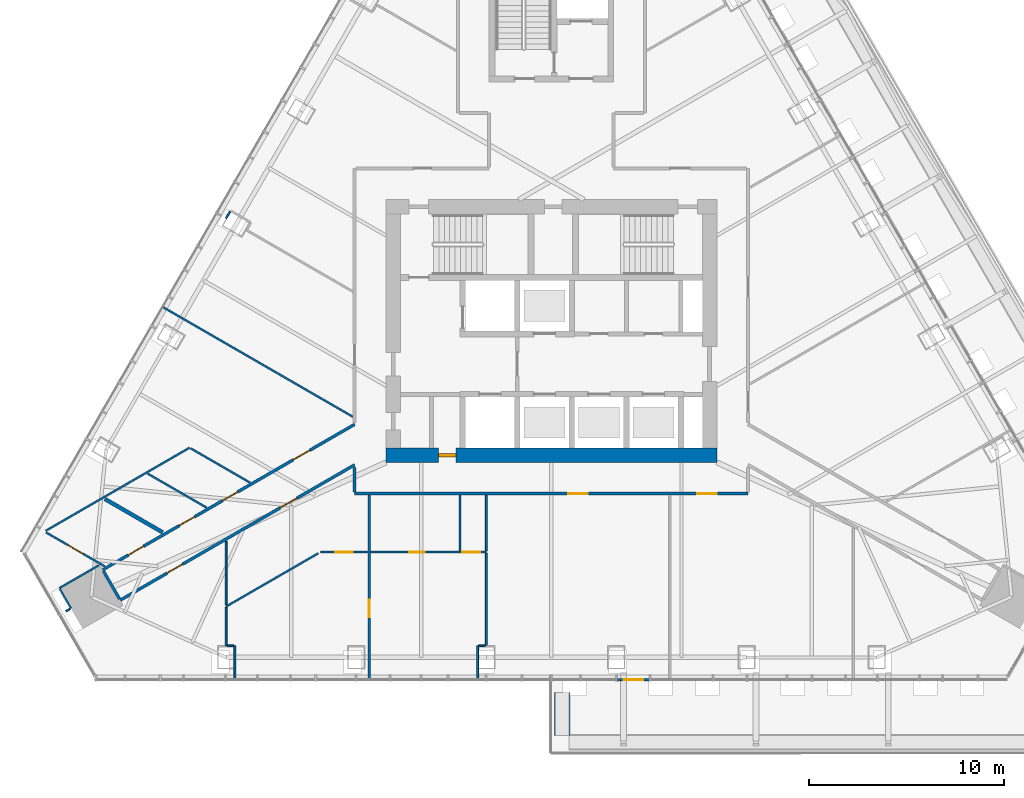
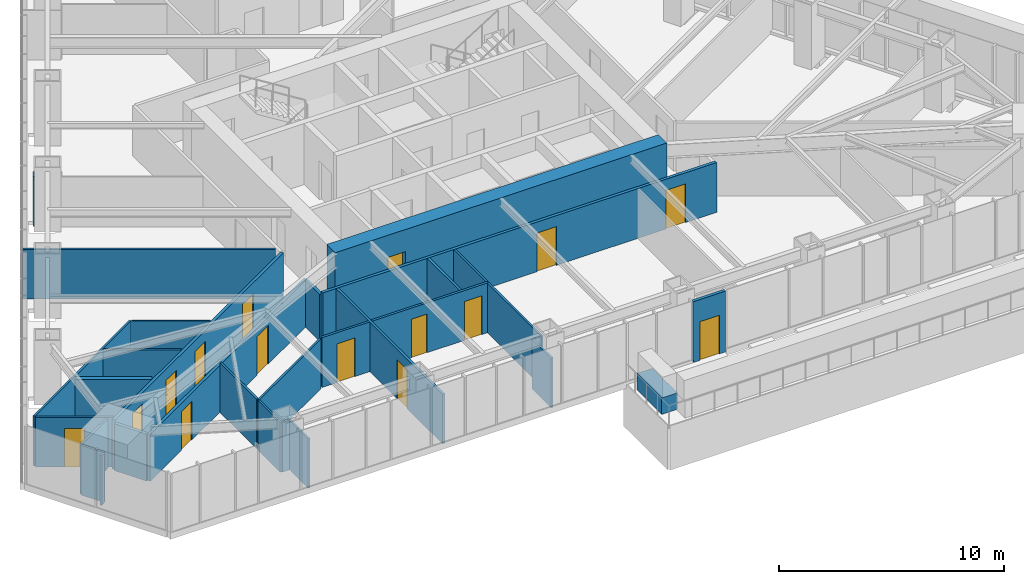
# One storey, part 10 of 17: 31 walls, 15 doors, 15 openings, 1 element without a shape of its own.
"""IFC4 building model written with IfcOpenShell, lengths in metres."""

from ifc_helpers import new_model, si_unit, direction, frame, frame_2d, origin, place, context, subcontext, project, spatial, rectangle, extrude, material, layer, layer_set, type_object, element, fill, aggregate, save


model = new_model("IFC4")

# Units and contexts
model_context = context("Model", 3, precision=1e-05, world=origin(), true_north=direction((0.0, 1.0)))
body_context = subcontext(model_context, "Body", "Model", "MODEL_VIEW")
ifc_project = project(units=[si_unit("LENGTHUNIT", "METRE"), si_unit("AREAUNIT", "SQUARE_METRE"), si_unit("VOLUMEUNIT", "CUBIC_METRE"), si_unit("PLANEANGLEUNIT", "RADIAN"), si_unit("MASSUNIT", "GRAM", prefix="KILO")], contexts=[model_context])

# Site, building, storey
site_placement = place(None, origin())
site = spatial("IfcSite", under=ifc_project, at=site_placement, CompositionType="ELEMENT")
building_placement = place(site_placement, origin())
building = spatial("IfcBuilding", under=site, at=building_placement, Name="Firuza Gate Tower and Library", CompositionType="ELEMENT")
storey_placement = place(building_placement, frame((0.0, 0.0, 263.60009765625)))
storey = spatial("IfcBuildingStorey", under=building, at=storey_placement, Name="L62", CompositionType="ELEMENT", Elevation=263.60009765625)

# Wall, opening, door
ifc_material_1 = material(Name="Concrete C60/75", Category="concrete")
ifc_layer_1 = layer(ifc_material_1, 0.75)
ifc_layer_set_1 = layer_set([ifc_layer_1], Name="Core wall 750 C60/75")
wall_type_1 = type_object("IfcWallType", Name="Core wall 750 C60/75", PredefinedType="SHEAR", material=ifc_layer_set_1)
wall_1_placement = place(storey_placement, frame((66.5, 68.625, 0.0), z_axis=(0.0, 0.0, 1.0), x_axis=(1.0, 0.0, 0.0)))
wall_1 = element("IfcWall", 1, at=wall_1_placement, inside=storey, type_object=wall_type_1, Name="Core wall L62 1", PredefinedType="SHEAR", context=body_context, shape_type="SweptSolid", body=[
    extrude(rectangle(XDim=17.0, YDim=0.75, at=frame_2d((8.5, 0.0))), origin(), (0.0, 0.0, 1.0), 3.2998046875),
])
opening_1_placement = place(wall_1_placement, frame((2.699951171875, 0.0, 0.0)))
opening_1 = element("IfcOpeningElement", 2, at=opening_1_placement, cuts=wall_1, Name="Opening L62-K18", PredefinedType="OPENING", context=body_context, shape_type="SweptSolid", body=[
    extrude(rectangle(XDim=0.89990234375, YDim=2.10009765625, at=frame_2d((0.449951171875, 1.050048828125))), frame((0.0, 0.385009765625, 0.0), z_axis=(0.0, -1.0, 0.0), x_axis=(1.0, 0.0, 0.0)), (0.0, 0.0, 1.0), 0.77001953125),
])
ifc_material_2 = material(Name="Steel", Category="steel")
door_type_1 = type_object("IfcDoorType", Name="Fire door 900x2100 FD30S", OperationType="NOTDEFINED", PredefinedType="DOOR", material=ifc_material_2)
door_1_placement = place(opening_1_placement, origin())
door_1 = element("IfcDoor", 3, at=door_1_placement, inside=storey, type_object=door_type_1, Name="Door L62-K18", OperationType="SINGLE_SWING_LEFT", OverallHeight=2.10009765625, OverallWidth=0.89990234375, PredefinedType="DOOR", context=body_context, shape_type="SweptSolid", body=[
    extrude(rectangle(XDim=0.89990234375, YDim=2.10009765625, at=frame_2d((0.449951171875, 1.050048828125))), frame((0.0, 0.094970703125, 0.0), z_axis=(0.0, -1.0, 0.0), x_axis=(1.0, 0.0, 0.0)), (0.0, 0.0, 1.0), 0.18994140625),
])
fill(opening_1, door_1)

# Wall, openings, doors
ifc_material_3 = material(Name="Gypsum board partition")
ifc_layer_2 = layer(ifc_material_3, 0.14990234375)
ifc_layer_set_2 = layer_set([ifc_layer_2], Name="Corridor wall 150 double board on steel studs")
wall_type_2 = type_object("IfcWallType", Name="Corridor wall 150 double board on steel studs", PredefinedType="PARTITIONING", material=ifc_layer_set_2)
wall_2_placement = place(storey_placement, frame((85.099609375, 66.64990234375, 0.0), z_axis=(0.0, 0.0, 1.0), x_axis=(-1.0, 0.0, 0.0)))
wall_2 = element("IfcWall", 4, at=wall_2_placement, inside=storey, type_object=wall_type_2, Name="f:L62:w003", PredefinedType="PARTITIONING", context=body_context, shape_type="SweptSolid", body=[
    extrude(rectangle(XDim=20.19970703125, YDim=0.14990234375, at=frame_2d((10.099853515625, 0.0))), origin(), (0.0, 0.0, 1.0), 2.699951171875),
])
opening_2_placement = place(wall_2_placement, frame((1.610107421875, 0.0, 0.0)))
opening_2 = element("IfcOpeningElement", 5, at=opening_2_placement, cuts=wall_2, Name="Opening L62-02", PredefinedType="OPENING", context=body_context, shape_type="SweptSolid", body=[
    extrude(rectangle(XDim=1.0, YDim=2.10009765625, at=frame_2d((0.5, 1.050048828125))), frame((0.0, 0.0849609375, 0.0), z_axis=(0.0, -1.0, 0.0), x_axis=(1.0, 0.0, 0.0)), (0.0, 0.0, 1.0), 0.169921875),
])
opening_3_placement = place(wall_2_placement, frame((8.22900390625, 0.0, 0.0)))
opening_3 = element("IfcOpeningElement", 6, at=opening_3_placement, cuts=wall_2, Name="Opening L62-03", PredefinedType="OPENING", context=body_context, shape_type="SweptSolid", body=[
    extrude(rectangle(XDim=1.0, YDim=2.10009765625, at=frame_2d((0.5, 1.050048828125))), frame((0.0, 0.0849609375, 0.0), z_axis=(0.0, -1.0, 0.0), x_axis=(1.0, 0.0, 0.0)), (0.0, 0.0, 1.0), 0.169921875),
])
ifc_material_4 = material(Name="Steel door and timber leaf", Category="steel")
door_type_2 = type_object("IfcDoorType", Name="Fire door 1000 x 2100 steel frame, timber leaf", OperationType="NOTDEFINED", PredefinedType="DOOR", material=ifc_material_4)
door_2_placement = place(opening_2_placement, origin())
door_2 = element("IfcDoor", 7, at=door_2_placement, inside=storey, type_object=door_type_2, Name="f:L62:d002", OperationType="SINGLE_SWING_LEFT", OverallHeight=2.10009765625, OverallWidth=1.0, PredefinedType="DOOR", context=body_context, shape_type="SweptSolid", body=[
    extrude(rectangle(XDim=1.0, YDim=2.10009765625, at=frame_2d((0.5, 1.050048828125))), frame((0.0, 0.02490234375, 0.0), z_axis=(0.0, -1.0, 0.0), x_axis=(1.0, 0.0, 0.0)), (0.0, 0.0, 1.0), 0.050048828125),
])
fill(opening_2, door_2)
door_3_placement = place(opening_3_placement, origin())
door_3 = element("IfcDoor", 8, at=door_3_placement, inside=storey, type_object=door_type_2, Name="f:L62:d003", OperationType="SINGLE_SWING_RIGHT", OverallHeight=2.10009765625, OverallWidth=1.0, PredefinedType="DOOR", context=body_context, shape_type="SweptSolid", body=[
    extrude(rectangle(XDim=1.0, YDim=2.10009765625, at=frame_2d((0.5, 1.050048828125))), frame((0.0, 0.02490234375, 0.0), z_axis=(0.0, -1.0, 0.0), x_axis=(1.0, 0.0, 0.0)), (0.0, 0.0, 1.0), 0.050048828125),
])
fill(opening_3, door_3)

wall_3_placement = place(storey_placement, frame((64.89990234375, 68.129638671875, 0.0), z_axis=(0.0, 0.0, 1.0), x_axis=(-0.866020369651, -0.500008719273, 0.0)))
wall_3 = element("IfcWall", 9, at=wall_3_placement, inside=storey, type_object=wall_type_2, Name="f:L62:w015", PredefinedType="PARTITIONING", context=body_context, shape_type="SweptSolid", body=[
    extrude(rectangle(XDim=13.903564453125, YDim=0.14990234375, at=frame_2d((6.95166015625, 0.0))), origin(), (0.0, 0.0, 1.0), 2.546875),
])
opening_4_placement = place(wall_3_placement, frame((3.416015625, 0.0, 0.0)))
opening_4 = element("IfcOpeningElement", 10, at=opening_4_placement, cuts=wall_3, Name="Opening L62-08", PredefinedType="OPENING", context=body_context, shape_type="SweptSolid", body=[
    extrude(rectangle(XDim=1.0, YDim=2.10009765625, at=frame_2d((0.5, 1.050048828125))), frame((0.0, 0.0849609375, 0.0), z_axis=(0.0, -1.0, 0.0), x_axis=(1.0, 0.0, 0.0)), (0.0, 0.0, 1.0), 0.169921875),
])
opening_5_placement = place(wall_3_placement, frame((10.214599609375, 0.0, 0.0)))
opening_5 = element("IfcOpeningElement", 11, at=opening_5_placement, cuts=wall_3, Name="Opening L62-09", PredefinedType="OPENING", context=body_context, shape_type="SweptSolid", body=[
    extrude(rectangle(XDim=0.89990234375, YDim=2.10009765625, at=frame_2d((0.449951171875, 1.050048828125))), frame((0.0, 0.0849609375, 0.0), z_axis=(0.0, -1.0, 0.0), x_axis=(1.0, 0.0, 0.0)), (0.0, 0.0, 1.0), 0.169921875),
])
door_4_placement = place(opening_4_placement, origin())
door_4 = element("IfcDoor", 12, at=door_4_placement, inside=storey, type_object=door_type_2, Name="f:L62:d008", OperationType="SINGLE_SWING_RIGHT", OverallHeight=2.10009765625, OverallWidth=1.0, PredefinedType="DOOR", context=body_context, shape_type="SweptSolid", body=[
    extrude(rectangle(XDim=1.0, YDim=2.10009765625, at=frame_2d((0.5, 1.050048828125))), frame((0.0, 0.02490234375, 0.0), z_axis=(0.0, -1.0, 0.0), x_axis=(1.0, 0.0, 0.0)), (0.0, 0.0, 1.0), 0.050048828125),
])
fill(opening_4, door_4)
ifc_material_5 = material(Name="Steel door and timber leaf", Category="steel")
door_type_3 = type_object("IfcDoorType", Name="Fire door 900 x 2100 steel frame, timber leaf", OperationType="NOTDEFINED", PredefinedType="DOOR", material=ifc_material_5)
door_5_placement = place(opening_5_placement, origin())
door_5 = element("IfcDoor", 13, at=door_5_placement, inside=storey, type_object=door_type_3, Name="f:L62:d009", OperationType="SINGLE_SWING_RIGHT", OverallHeight=2.10009765625, OverallWidth=0.89990234375, PredefinedType="DOOR", context=body_context, shape_type="SweptSolid", body=[
    extrude(rectangle(XDim=0.89990234375, YDim=2.10009765625, at=frame_2d((0.449951171875, 1.050048828125))), frame((0.0, 0.02490234375, 0.0), z_axis=(0.0, -1.0, 0.0), x_axis=(1.0, 0.0, 0.0)), (0.0, 0.0, 1.0), 0.050048828125),
])
fill(opening_5, door_5)

wall_4_placement = place(storey_placement, frame((51.958740234375, 62.736328125, 0.0), z_axis=(0.0, 0.0, 1.0), x_axis=(0.866022614424, 0.500004831283, 0.0)))
wall_4 = element("IfcWall", 14, at=wall_4_placement, inside=storey, type_object=wall_type_2, Name="f:L62:w017", PredefinedType="PARTITIONING", context=body_context, shape_type="SweptSolid", body=[
    extrude(rectangle(XDim=14.943115234375, YDim=0.14990234375, at=frame_2d((7.4716796875, 0.0))), origin(), (0.0, 0.0, 1.0), 2.699951171875),
])
opening_6_placement = place(wall_4_placement, frame((1.522216796875, 0.0, 0.0)))
opening_6 = element("IfcOpeningElement", 15, at=opening_6_placement, cuts=wall_4, Name="Opening L62-10", PredefinedType="OPENING", context=body_context, shape_type="SweptSolid", body=[
    extrude(rectangle(XDim=0.89990234375, YDim=2.10009765625, at=frame_2d((0.449951171875, 1.050048828125))), frame((0.0, 0.0849609375, 0.0), z_axis=(0.0, -1.0, 0.0), x_axis=(1.0, 0.0, 0.0)), (0.0, 0.0, 1.0), 0.169921875),
])
opening_7_placement = place(wall_4_placement, frame((4.5390625, 0.0, 0.0)))
opening_7 = element("IfcOpeningElement", 16, at=opening_7_placement, cuts=wall_4, Name="Opening L62-11", PredefinedType="OPENING", context=body_context, shape_type="SweptSolid", body=[
    extrude(rectangle(XDim=0.89990234375, YDim=2.10009765625, at=frame_2d((0.449951171875, 1.050048828125))), frame((0.0, 0.0849609375, 0.0), z_axis=(0.0, -1.0, 0.0), x_axis=(1.0, 0.0, 0.0)), (0.0, 0.0, 1.0), 0.169921875),
])
opening_8_placement = place(wall_4_placement, frame((7.111083984375, 0.0, 0.0)))
opening_8 = element("IfcOpeningElement", 17, at=opening_8_placement, cuts=wall_4, Name="Opening L62-12", PredefinedType="OPENING", context=body_context, shape_type="SweptSolid", body=[
    extrude(rectangle(XDim=0.89990234375, YDim=2.10009765625, at=frame_2d((0.449951171875, 1.050048828125))), frame((0.0, 0.0849609375, 0.0), z_axis=(0.0, -1.0, 0.0), x_axis=(1.0, 0.0, 0.0)), (0.0, 0.0, 1.0), 0.169921875),
])
opening_9_placement = place(wall_4_placement, frame((11.293701171875, 0.0, 0.0)))
opening_9 = element("IfcOpeningElement", 18, at=opening_9_placement, cuts=wall_4, Name="Opening L62-13", PredefinedType="OPENING", context=body_context, shape_type="SweptSolid", body=[
    extrude(rectangle(XDim=1.0, YDim=2.10009765625, at=frame_2d((0.5, 1.050048828125))), frame((0.0, 0.0849609375, 0.0), z_axis=(0.0, -1.0, 0.0), x_axis=(1.0, 0.0, 0.0)), (0.0, 0.0, 1.0), 0.169921875),
])
door_6_placement = place(opening_9_placement, origin())
door_6 = element("IfcDoor", 19, at=door_6_placement, inside=storey, type_object=door_type_2, Name="f:L62:d013", OperationType="SINGLE_SWING_LEFT", OverallHeight=2.10009765625, OverallWidth=1.0, PredefinedType="DOOR", context=body_context, shape_type="SweptSolid", body=[
    extrude(rectangle(XDim=1.0, YDim=2.10009765625, at=frame_2d((0.5, 1.050048828125))), frame((0.0, 0.02490234375, 0.0), z_axis=(0.0, -1.0, 0.0), x_axis=(1.0, 0.0, 0.0)), (0.0, 0.0, 1.0), 0.050048828125),
])
fill(opening_9, door_6)
door_7_placement = place(opening_6_placement, origin())
door_7 = element("IfcDoor", 20, at=door_7_placement, inside=storey, type_object=door_type_3, Name="f:L62:d010", OperationType="SINGLE_SWING_RIGHT", OverallHeight=2.10009765625, OverallWidth=0.89990234375, PredefinedType="DOOR", context=body_context, shape_type="SweptSolid", body=[
    extrude(rectangle(XDim=0.89990234375, YDim=2.10009765625, at=frame_2d((0.449951171875, 1.050048828125))), frame((0.0, 0.02490234375, 0.0), z_axis=(0.0, -1.0, 0.0), x_axis=(1.0, 0.0, 0.0)), (0.0, 0.0, 1.0), 0.050048828125),
])
fill(opening_6, door_7)
door_8_placement = place(opening_7_placement, origin())
door_8 = element("IfcDoor", 21, at=door_8_placement, inside=storey, type_object=door_type_3, Name="f:L62:d011", OperationType="SINGLE_SWING_LEFT", OverallHeight=2.10009765625, OverallWidth=0.89990234375, PredefinedType="DOOR", context=body_context, shape_type="SweptSolid", body=[
    extrude(rectangle(XDim=0.89990234375, YDim=2.10009765625, at=frame_2d((0.449951171875, 1.050048828125))), frame((0.0, 0.02490234375, 0.0), z_axis=(0.0, -1.0, 0.0), x_axis=(1.0, 0.0, 0.0)), (0.0, 0.0, 1.0), 0.050048828125),
])
fill(opening_7, door_8)
door_9_placement = place(opening_8_placement, origin())
door_9 = element("IfcDoor", 22, at=door_9_placement, inside=storey, type_object=door_type_3, Name="f:L62:d012", OperationType="SINGLE_SWING_RIGHT", OverallHeight=2.10009765625, OverallWidth=0.89990234375, PredefinedType="DOOR", context=body_context, shape_type="SweptSolid", body=[
    extrude(rectangle(XDim=0.89990234375, YDim=2.10009765625, at=frame_2d((0.449951171875, 1.050048828125))), frame((0.0, 0.02490234375, 0.0), z_axis=(0.0, -1.0, 0.0), x_axis=(1.0, 0.0, 0.0)), (0.0, 0.0, 1.0), 0.050048828125),
])
fill(opening_8, door_9)

# Walls
wall_5_placement = place(storey_placement, frame((64.89990234375, 66.72509765625, 0.0), z_axis=(0.0, 0.0, 1.0), x_axis=(0.0, 1.0, 0.0)))
element("IfcWall", 23, at=wall_5_placement, inside=storey, type_object=wall_type_2, Name="f:L62:w046", PredefinedType="PARTITIONING", context=body_context, shape_type="SweptSolid", body=[
    extrude(rectangle(XDim=1.267822265625, YDim=0.14990234375, at=frame_2d((0.6337890625, 0.0))), origin(), (0.0, 0.0, 1.0), 2.546875),
])
wall_6_placement = place(storey_placement, frame((52.8212890625, 61.242919921875, 0.0), z_axis=(0.0, 0.0, 1.0), x_axis=(-0.499970888758, 0.866042210515, 0.0)))
element("IfcWall", 24, at=wall_6_placement, inside=storey, type_object=wall_type_2, Name="f:L62:w052", PredefinedType="PARTITIONING", context=body_context, shape_type="SweptSolid", body=[
    extrude(rectangle(XDim=1.64453125, YDim=0.14990234375, at=frame_2d((0.822265625, 0.0))), origin(), (0.0, 0.0, 1.0), 2.546875),
])
ifc_material_6 = material(Name="Gypsum board partition")
ifc_layer_3 = layer(ifc_material_6, 0.199951171875)
ifc_layer_set_3 = layer_set([ifc_layer_3], Name="Demising wall 200 acoustic double stud")
wall_type_3 = type_object("IfcWallType", Name="Demising wall 200 acoustic double stud", PredefinedType="PARTITIONING", material=ifc_layer_set_3)
wall_7_placement = place(storey_placement, frame((55.0390625, 64.66162109375, 0.0), z_axis=(0.0, 0.0, 1.0), x_axis=(-0.866036273972, 0.49998117181, 0.0)))
element("IfcWall", 25, at=wall_7_placement, inside=storey, type_object=wall_type_3, Name="f:L62:w065", PredefinedType="PARTITIONING", context=body_context, shape_type="SweptSolid", body=[
    extrude(rectangle(XDim=3.430908203125, YDim=0.199951171875, at=frame_2d((1.71533203125, 0.0))), origin(), (0.0, 0.0, 1.0), 2.699951171875),
])
ifc_material_7 = material(Name="Gypsum board partition")
ifc_layer_4 = layer(ifc_material_7, 0.10009765625)
ifc_layer_set_4 = layer_set([ifc_layer_4], Name="Partition 100 gypsum board on steel studs")
wall_type_4 = type_object("IfcWallType", Name="Partition 100 gypsum board on steel studs", PredefinedType="PARTITIONING", material=ifc_layer_set_4)
wall_8_placement = place(storey_placement, frame((58.34326171875, 58.839111328125, 0.0), z_axis=(0.0, 0.0, 1.0), x_axis=(1.0, 0.0, 0.0)))
element("IfcWall", 26, at=wall_8_placement, inside=storey, type_object=wall_type_4, Name="f:L62:w000", PredefinedType="PARTITIONING", context=body_context, shape_type="SweptSolid", body=[
    extrude(rectangle(XDim=0.349609375, YDim=0.10009765625, at=frame_2d((0.1748046875, 0.0))), origin(), (0.0, 0.0, 1.0), 2.699951171875),
])
wall_9_placement = place(storey_placement, frame((71.25927734375, 58.839111328125, 0.0), z_axis=(0.0, 0.0, 1.0), x_axis=(1.0, 0.0, 0.0)))
element("IfcWall", 27, at=wall_9_placement, inside=storey, type_object=wall_type_4, Name="f:L62:w001", PredefinedType="PARTITIONING", context=body_context, shape_type="SweptSolid", body=[
    extrude(rectangle(XDim=0.348876953125, YDim=0.10009765625, at=frame_2d((0.17431640625, 0.0))), origin(), (0.0, 0.0, 1.0), 2.699951171875),
])
wall_10_placement = place(storey_placement, frame((58.293212890625, 60.85107421875, 0.0), z_axis=(0.0, 0.0, 1.0), x_axis=(0.866026762963, 0.499997645826, 0.0)))
element("IfcWall", 28, at=wall_10_placement, inside=storey, type_object=wall_type_4, Name="f:L62:w014", PredefinedType="PARTITIONING", context=body_context, shape_type="SweptSolid", body=[
    extrude(rectangle(XDim=5.47802734375, YDim=0.10009765625, at=frame_2d((2.739013671875, 0.0))), origin(), (0.0, 0.0, 1.0), 2.699951171875),
])
wall_11_placement = place(storey_placement, frame((50.0703125, 60.60693359375, 0.0), z_axis=(0.0, 0.0, 1.0), x_axis=(0.866071776036, 0.499919672301, 0.0)))
element("IfcWall", 29, at=wall_11_placement, inside=storey, type_object=wall_type_4, Name="f:L62:w016", PredefinedType="PARTITIONING", context=body_context, shape_type="SweptSolid", body=[
    extrude(rectangle(XDim=0.25, YDim=0.10009765625, at=frame_2d((0.125, 0.0))), origin(), (0.0, 0.0, 1.0), 2.699951171875),
])
wall_12_placement = place(storey_placement, frame((49.730224609375, 61.796142578125, 0.0), z_axis=(0.0, 0.0, 1.0), x_axis=(0.86603458294, 0.499984100898, 0.0)))
element("IfcWall", 30, at=wall_12_placement, inside=storey, type_object=wall_type_4, Name="f:L62:w018", PredefinedType="PARTITIONING", context=body_context, shape_type="SweptSolid", body=[
    extrude(rectangle(XDim=2.34228515625, YDim=0.10009765625, at=frame_2d((1.171142578125, 0.0))), origin(), (0.0, 0.0, 1.0), 2.699951171875),
])
wall_13_placement = place(storey_placement, frame((49.0302734375, 64.74072265625, 0.0), z_axis=(0.0, 0.0, 1.0), x_axis=(0.866019796467, 0.500009712033, 0.0)))
element("IfcWall", 31, at=wall_13_placement, inside=storey, type_object=wall_type_4, Name="f:L62:w020", PredefinedType="PARTITIONING", context=body_context, shape_type="SweptSolid", body=[
    extrude(rectangle(XDim=8.533935546875, YDim=0.10009765625, at=frame_2d((4.26708984375, 0.0))), origin(), (0.0, 0.0, 1.0), 2.699951171875),
])
wall_14_placement = place(storey_placement, frame((58.29443359375, 80.786865234375, 0.0), z_axis=(0.0, 0.0, 1.0), x_axis=(0.500165123728, 0.865930048564, 0.0)))
element("IfcWall", 32, at=wall_14_placement, inside=storey, type_object=wall_type_4, Name="f:L62:w029", PredefinedType="PARTITIONING", context=body_context, shape_type="SweptSolid", body=[
    extrude(rectangle(XDim=0.397705078125, YDim=0.10009765625, at=frame_2d((0.19873046875, 0.0))), origin(), (0.0, 0.0, 1.0), 2.699951171875),
])
wall_15_placement = place(storey_placement, frame((71.658935546875, 58.83984375, 0.0), z_axis=(0.0, 0.0, 1.0), x_axis=(0.0, 1.0, 0.0)))
element("IfcWall", 33, at=wall_15_placement, inside=storey, type_object=wall_type_4, Name="f:L62:w041", PredefinedType="PARTITIONING", context=body_context, shape_type="SweptSolid", body=[
    extrude(rectangle(XDim=4.750244140625, YDim=0.10009765625, at=frame_2d((2.375, 0.0))), origin(), (0.0, 0.0, 1.0), 2.699951171875),
])
for number, where, z_axis, x_axis, name in (
    (34, (71.208984375, 57.13916015625, 0.0), (0.0, 0.0, 1.0), (0.0, 1.0, 0.0), "f:L62:w042"),
    (35, (58.742919921875, 57.13916015625, 0.0), (0.0, 0.0, 1.0), (0.0, 1.0, 0.0), "f:L62:w048"),
):
    element("IfcWall", number, at=place(storey_placement, frame(where, z_axis=z_axis, x_axis=x_axis)), inside=storey, type_object=wall_type_4, Name=name, PredefinedType="PARTITIONING", context=body_context, shape_type="SweptSolid", body=[
        extrude(rectangle(XDim=1.699462890625, YDim=0.10009765625, at=frame_2d((0.849609375, 0.0))), origin(), (0.0, 0.0, 1.0), 2.68798828125),
    ])
wall_16_placement = place(storey_placement, frame((58.29296875, 58.83935546875, 0.0), z_axis=(0.0, 0.0, 1.0), x_axis=(0.0, 1.0, 0.0)))
element("IfcWall", 36, at=wall_16_placement, inside=storey, type_object=wall_type_4, Name="f:L62:w049", PredefinedType="PARTITIONING", context=body_context, shape_type="SweptSolid", body=[
    extrude(rectangle(XDim=1.968505859375, YDim=0.10009765625, at=frame_2d((0.984375, 0.0))), origin(), (0.0, 0.0, 1.0), 2.699951171875),
])
wall_17_placement = place(storey_placement, frame((50.33056640625, 60.757080078125, 0.0), z_axis=(0.0, 0.0, 1.0), x_axis=(-0.500157339417, 0.865934544771, 0.0)))
element("IfcWall", 37, at=wall_17_placement, inside=storey, type_object=wall_type_4, Name="f:L62:w053", PredefinedType="PARTITIONING", context=body_context, shape_type="SweptSolid", body=[
    extrude(rectangle(XDim=1.150146484375, YDim=0.10009765625, at=frame_2d((0.5751953125, 0.0))), origin(), (0.0, 0.0, 1.0), 2.699951171875),
])
wall_18_placement = place(storey_placement, frame((64.799072265625, 70.60107421875, 0.0), z_axis=(0.0, 0.0, 1.0), x_axis=(-0.86602224969, 0.500005463012, 0.0)))
element("IfcWall", 38, at=wall_18_placement, inside=storey, type_object=wall_type_4, Name="f:L62:w062", PredefinedType="PARTITIONING", context=body_context, shape_type="SweptSolid", body=[
    extrude(rectangle(XDim=11.225830078125, YDim=0.10009765625, at=frame_2d((5.61279296875, 0.0))), origin(), (0.0, 0.0, 1.0), 2.68798828125),
])
wall_19_placement = place(storey_placement, frame((59.52001953125, 67.218505859375, 0.0), z_axis=(0.0, 0.0, 1.0), x_axis=(-0.866011216541, 0.500024572222, 0.0)))
element("IfcWall", 39, at=wall_19_placement, inside=storey, type_object=wall_type_4, Name="f:L62:w063", PredefinedType="PARTITIONING", context=body_context, shape_type="SweptSolid", body=[
    extrude(rectangle(XDim=3.520751953125, YDim=0.10009765625, at=frame_2d((1.76025390625, 0.0))), origin(), (0.0, 0.0, 1.0), 2.699951171875),
])
wall_20_placement = place(storey_placement, frame((57.292236328125, 65.93212890625, 0.0), z_axis=(0.0, 0.0, 1.0), x_axis=(-0.866017863565, 0.500013059815, 0.0)))
element("IfcWall", 40, at=wall_20_placement, inside=storey, type_object=wall_type_4, Name="f:L62:w064", PredefinedType="PARTITIONING", context=body_context, shape_type="SweptSolid", body=[
    extrude(rectangle(XDim=3.49072265625, YDim=0.10009765625, at=frame_2d((1.745361328125, 0.0))), origin(), (0.0, 0.0, 1.0), 2.699951171875),
])

# Wall, opening, door
wall_21_placement = place(storey_placement, frame((49.049072265625, 64.657958984375, 0.0), z_axis=(0.0, 0.0, 1.0), x_axis=(0.866031592922, -0.499989279946, 0.0)))
wall_21 = element("IfcWall", 41, at=wall_21_placement, inside=storey, type_object=wall_type_4, Name="f:L62:w066", PredefinedType="PARTITIONING", context=body_context, shape_type="SweptSolid", body=[
    extrude(rectangle(XDim=3.48486328125, YDim=0.10009765625, at=frame_2d((1.742431640625, 0.0))), origin(), (0.0, 0.0, 1.0), 2.699951171875),
])
opening_10_placement = place(wall_21_placement, frame((1.29248046875, 0.0, 0.0)))
opening_10 = element("IfcOpeningElement", 42, at=opening_10_placement, cuts=wall_21, Name="Opening L62-21", PredefinedType="OPENING", context=body_context, shape_type="SweptSolid", body=[
    extrude(rectangle(XDim=0.89990234375, YDim=2.10009765625, at=frame_2d((0.449951171875, 1.050048828125))), frame((0.0, 0.06005859375, 0.0), z_axis=(0.0, -1.0, 0.0), x_axis=(1.0, 0.0, 0.0)), (0.0, 0.0, 1.0), 0.1201171875),
])
ifc_material_8 = material(Name="Timber door", Category="wood")
door_type_4 = type_object("IfcDoorType", Name="Door 900 x 2100 timber leaf", OperationType="NOTDEFINED", PredefinedType="DOOR", material=ifc_material_8)
door_10_placement = place(opening_10_placement, origin())
door_10 = element("IfcDoor", 43, at=door_10_placement, inside=storey, type_object=door_type_4, Name="f:L62:d021", OperationType="SINGLE_SWING_RIGHT", OverallHeight=2.10009765625, OverallWidth=0.89990234375, PredefinedType="DOOR", context=body_context, shape_type="SweptSolid", body=[
    extrude(rectangle(XDim=0.89990234375, YDim=2.10009765625, at=frame_2d((0.449951171875, 1.050048828125))), frame((0.0, 0.02490234375, 0.0), z_axis=(0.0, -1.0, 0.0), x_axis=(1.0, 0.0, 0.0)), (0.0, 0.0, 1.0), 0.050048828125),
])
fill(opening_10, door_10)

# Walls
wall_22_placement = place(storey_placement, frame((71.658935546875, 63.7099609375, 0.0), z_axis=(0.0, 0.0, 1.0), x_axis=(0.0, 1.0, 0.0)))
element("IfcWall", 44, at=wall_22_placement, inside=storey, type_object=wall_type_4, Name="f:L62:w067", PredefinedType="PARTITIONING", context=body_context, shape_type="SweptSolid", body=[
    extrude(rectangle(XDim=2.864990234375, YDim=0.10009765625, at=frame_2d((1.4326171875, 0.0))), origin(), (0.0, 0.0, 1.0), 2.699951171875),
])
wall_23_placement = place(storey_placement, frame((58.29296875, 60.9375, 0.0), z_axis=(0.0, 0.0, 1.0), x_axis=(0.0, 1.0, 0.0)))
element("IfcWall", 45, at=wall_23_placement, inside=storey, type_object=wall_type_4, Name="f:L62:w068", PredefinedType="PARTITIONING", context=body_context, shape_type="SweptSolid", body=[
    extrude(rectangle(XDim=3.260986328125, YDim=0.10009765625, at=frame_2d((1.63037109375, 0.0))), origin(), (0.0, 0.0, 1.0), 2.699951171875),
])
ifc_material_9 = material(Name="Concrete C40/50", Category="concrete")
ifc_layer_5 = layer(ifc_material_9, 0.800048828125)
ifc_layer_set_5 = layer_set([ifc_layer_5], Name="Planter wall 800")
wall_type_5 = type_object("IfcWallType", Name="Planter wall 800", PredefinedType="SOLIDWALL", material=ifc_layer_set_5)
wall_24_placement = place(storey_placement, frame((75.550048828125, 56.439208984375, 0.0), z_axis=(0.0, 0.0, 1.0), x_axis=(0.0, -1.0, 0.0)))
element("IfcWall", 46, at=wall_24_placement, inside=storey, type_object=wall_type_5, Name="PLANTER L62 1", PredefinedType="SOLIDWALL", context=body_context, shape_type="SweptSolid", body=[
    extrude(rectangle(XDim=2.199951171875, YDim=0.800048828125, at=frame_2d((1.10009765625, 0.0))), origin(), (0.0, 0.0, 1.0), 0.89990234375),
])

# Curtain wall, wall, opening, door
ifc_material_10 = material(Name="Aluminium 6063-T6", Category="aluminium")
ifc_layer_6 = layer(ifc_material_10, 0.14990234375)
ifc_layer_set_6 = layer_set([ifc_layer_6], Name="Unitised curtain wall, residences")
curtain_wall_type = type_object("IfcCurtainWallType", Name="Unitised curtain wall, residences", PredefinedType="NOTDEFINED", material=ifc_layer_set_6)
curtain_wall_placement = place(storey_placement, origin())
curtain_wall = element("IfcCurtainWall", 47, at=curtain_wall_placement, inside=storey, type_object=curtain_wall_type, Name="CW3 L62 S face", PredefinedType="NOTDEFINED")
ifc_material_11 = material(Name="Aluminium 6063-T6", Category="aluminium")
ifc_layer_7 = layer(ifc_material_11, 0.14990234375)
ifc_layer_set_7 = layer_set([ifc_layer_7], Name="Terrace door wall 150")
wall_type_6 = type_object("IfcWallType", Name="Terrace door wall 150", PredefinedType="SOLIDWALL", material=ifc_layer_set_7)
wall_25_placement = place(storey_placement, frame((78.387451171875, 57.09423828125, 0.0), z_axis=(0.0, 0.0, 1.0), x_axis=(1.0, 0.0, 0.0)))
wall_25 = element("IfcWall", 48, at=wall_25_placement, type_object=wall_type_6, Name="Terrace door wall", PredefinedType="SOLIDWALL", context=body_context, shape_type="SweptSolid", body=[
    extrude(rectangle(XDim=1.64013671875, YDim=0.14990234375, at=frame_2d((0.820068359375, 0.0))), origin(), (0.0, 0.0, 1.0), 3.2998046875),
])
opening_11_placement = place(wall_25_placement, frame((0.320068359375, 0.0, 0.0)))
opening_11 = element("IfcOpeningElement", 49, at=opening_11_placement, cuts=wall_25, Name="Opening DR6", PredefinedType="OPENING", context=body_context, shape_type="SweptSolid", body=[
    extrude(rectangle(XDim=1.0, YDim=2.10009765625, at=frame_2d((0.5, 1.050048828125))), frame((0.0, 0.0849609375, 0.0), z_axis=(0.0, -1.0, 0.0), x_axis=(1.0, 0.0, 0.0)), (0.0, 0.0, 1.0), 0.169921875),
])
ifc_material_12 = material(Name="Aluminium 6063-T6 and glass", Category="aluminium")
door_type_5 = type_object("IfcDoorType", Name="Terrace door 1000x2100", OperationType="NOTDEFINED", PredefinedType="DOOR", material=ifc_material_12)
door_11_placement = place(opening_11_placement, origin())
door_11 = element("IfcDoor", 50, at=door_11_placement, inside=storey, type_object=door_type_5, Name="Terrace door", OperationType="SINGLE_SWING_RIGHT", OverallHeight=2.10009765625, OverallWidth=1.0, PredefinedType="DOOR", context=body_context, shape_type="SweptSolid", body=[
    extrude(rectangle(XDim=1.0, YDim=2.10009765625, at=frame_2d((0.5, 1.050048828125))), frame((0.0, 0.02490234375, 0.0), z_axis=(0.0, -1.0, 0.0), x_axis=(1.0, 0.0, 0.0)), (0.0, 0.0, 1.0), 0.050048828125),
])
fill(opening_11, door_11)
aggregate(curtain_wall, [wall_25])

# Wall, opening, door
ifc_material_13 = material(Name="Gypsum board partition")
ifc_layer_8 = layer(ifc_material_13, 0.1201171875)
ifc_layer_set_8 = layer_set([ifc_layer_8], Name="Wet-area partition 120 moisture-resistant board")
wall_type_7 = type_object("IfcWallType", Name="Wet-area partition 120 moisture-resistant board", PredefinedType="PARTITIONING", material=ifc_layer_set_8)
wall_26_placement = place(storey_placement, frame((65.583984375, 63.64990234375, 0.0), z_axis=(0.0, 0.0, 1.0), x_axis=(-1.0, 0.0, 0.0)))
wall_26 = element("IfcWall", 51, at=wall_26_placement, inside=storey, type_object=wall_type_7, Name="f:L62:w002", PredefinedType="PARTITIONING", context=body_context, shape_type="SweptSolid", body=[
    extrude(rectangle(XDim=2.44287109375, YDim=0.1201171875, at=frame_2d((1.221435546875, 0.0))), origin(), (0.0, 0.0, 1.0), 2.699951171875),
])
opening_12_placement = place(wall_26_placement, frame((0.771484375, 0.0, 0.0)))
opening_12 = element("IfcOpeningElement", 52, at=opening_12_placement, cuts=wall_26, Name="Opening L62-01", PredefinedType="OPENING", context=body_context, shape_type="SweptSolid", body=[
    extrude(rectangle(XDim=0.89990234375, YDim=2.10009765625, at=frame_2d((0.449951171875, 1.050048828125))), frame((0.0, 0.070068359375, 0.0), z_axis=(0.0, -1.0, 0.0), x_axis=(1.0, 0.0, 0.0)), (0.0, 0.0, 1.0), 0.14013671875),
])
door_12_placement = place(opening_12_placement, origin())
door_12 = element("IfcDoor", 53, at=door_12_placement, inside=storey, type_object=door_type_4, Name="f:L62:d001", OperationType="SINGLE_SWING_LEFT", OverallHeight=2.10009765625, OverallWidth=0.89990234375, PredefinedType="DOOR", context=body_context, shape_type="SweptSolid", body=[
    extrude(rectangle(XDim=0.89990234375, YDim=2.10009765625, at=frame_2d((0.449951171875, 1.050048828125))), frame((0.0, 0.02490234375, 0.0), z_axis=(0.0, -1.0, 0.0), x_axis=(1.0, 0.0, 0.0)), (0.0, 0.0, 1.0), 0.050048828125),
])
fill(opening_12, door_12)

# Wall
wall_27_placement = place(storey_placement, frame((70.31103515625, 63.7099609375, 0.0), z_axis=(0.0, 0.0, 1.0), x_axis=(0.0, 1.0, 0.0)))
element("IfcWall", 54, at=wall_27_placement, inside=storey, type_object=wall_type_7, Name="f:L62:w043", PredefinedType="PARTITIONING", context=body_context, shape_type="SweptSolid", body=[
    extrude(rectangle(XDim=2.864990234375, YDim=0.1201171875, at=frame_2d((1.4326171875, 0.0))), origin(), (0.0, 0.0, 1.0), 2.699951171875),
])

# Wall, opening, door
wall_28_placement = place(storey_placement, frame((65.64404296875, 66.574951171875, 0.0), z_axis=(0.0, 0.0, 1.0), x_axis=(0.0, -1.0, 0.0)))
wall_28 = element("IfcWall", 55, at=wall_28_placement, inside=storey, type_object=wall_type_7, Name="f:L62:w045", PredefinedType="PARTITIONING", context=body_context, shape_type="SweptSolid", body=[
    extrude(rectangle(XDim=9.435791015625, YDim=0.1201171875, at=frame_2d((4.7177734375, 0.0))), origin(), (0.0, 0.0, 1.0), 2.68798828125),
])
opening_13_placement = place(wall_28_placement, frame((5.38037109375, 0.0, 0.0)))
opening_13 = element("IfcOpeningElement", 56, at=opening_13_placement, cuts=wall_28, Name="Opening L62-17", PredefinedType="OPENING", context=body_context, shape_type="SweptSolid", body=[
    extrude(rectangle(XDim=0.89990234375, YDim=2.10009765625, at=frame_2d((0.449951171875, 1.050048828125))), frame((0.0, 0.070068359375, 0.0), z_axis=(0.0, -1.0, 0.0), x_axis=(1.0, 0.0, 0.0)), (0.0, 0.0, 1.0), 0.14013671875),
])
door_13_placement = place(opening_13_placement, origin())
door_13 = element("IfcDoor", 57, at=door_13_placement, inside=storey, type_object=door_type_4, Name="f:L62:d017", OperationType="SINGLE_SWING_LEFT", OverallHeight=2.10009765625, OverallWidth=0.89990234375, PredefinedType="DOOR", context=body_context, shape_type="SweptSolid", body=[
    extrude(rectangle(XDim=0.89990234375, YDim=2.10009765625, at=frame_2d((0.449951171875, 1.050048828125))), frame((0.0, 0.02490234375, 0.0), z_axis=(0.0, -1.0, 0.0), x_axis=(1.0, 0.0, 0.0)), (0.0, 0.0, 1.0), 0.050048828125),
])
fill(opening_13, door_13)

# Wall, openings, doors
wall_29_placement = place(storey_placement, frame((65.7041015625, 63.64990234375, 0.0), z_axis=(0.0, 0.0, 1.0), x_axis=(1.0, 0.0, 0.0)))
wall_29 = element("IfcWall", 58, at=wall_29_placement, inside=storey, type_object=wall_type_7, Name="f:L62:w069", PredefinedType="PARTITIONING", context=body_context, shape_type="SweptSolid", body=[
    extrude(rectangle(XDim=5.95458984375, YDim=0.1201171875, at=frame_2d((2.977294921875, 0.0))), origin(), (0.0, 0.0, 1.0), 2.699951171875),
])
opening_14_placement = place(wall_29_placement, frame((2.00341796875, 0.0, 0.0)))
opening_14 = element("IfcOpeningElement", 59, at=opening_14_placement, cuts=wall_29, Name="Opening L62-22", PredefinedType="OPENING", context=body_context, shape_type="SweptSolid", body=[
    extrude(rectangle(XDim=0.800048828125, YDim=2.10009765625, at=frame_2d((0.39990234375, 1.050048828125))), frame((0.0, 0.070068359375, 0.0), z_axis=(0.0, -1.0, 0.0), x_axis=(1.0, 0.0, 0.0)), (0.0, 0.0, 1.0), 0.14013671875),
])
opening_15_placement = place(wall_29_placement, frame((4.730712890625, 0.0, 0.0)))
opening_15 = element("IfcOpeningElement", 60, at=opening_15_placement, cuts=wall_29, Name="Opening L62-23", PredefinedType="OPENING", context=body_context, shape_type="SweptSolid", body=[
    extrude(rectangle(XDim=0.89990234375, YDim=2.10009765625, at=frame_2d((0.449951171875, 1.050048828125))), frame((0.0, 0.070068359375, 0.0), z_axis=(0.0, -1.0, 0.0), x_axis=(1.0, 0.0, 0.0)), (0.0, 0.0, 1.0), 0.14013671875),
])
ifc_material_14 = material(Name="Timber door", Category="wood")
door_type_6 = type_object("IfcDoorType", Name="Door 800 x 2100 timber leaf", OperationType="NOTDEFINED", PredefinedType="DOOR", material=ifc_material_14)
door_14_placement = place(opening_14_placement, origin())
door_14 = element("IfcDoor", 61, at=door_14_placement, inside=storey, type_object=door_type_6, Name="f:L62:d022", OperationType="SINGLE_SWING_RIGHT", OverallHeight=2.10009765625, OverallWidth=0.800048828125, PredefinedType="DOOR", context=body_context, shape_type="SweptSolid", body=[
    extrude(rectangle(XDim=0.800048828125, YDim=2.10009765625, at=frame_2d((0.39990234375, 1.050048828125))), frame((0.0, 0.02490234375, 0.0), z_axis=(0.0, -1.0, 0.0), x_axis=(1.0, 0.0, 0.0)), (0.0, 0.0, 1.0), 0.050048828125),
])
fill(opening_14, door_14)
door_15_placement = place(opening_15_placement, origin())
door_15 = element("IfcDoor", 62, at=door_15_placement, inside=storey, type_object=door_type_4, Name="f:L62:d023", OperationType="SINGLE_SWING_LEFT", OverallHeight=2.10009765625, OverallWidth=0.89990234375, PredefinedType="DOOR", context=body_context, shape_type="SweptSolid", body=[
    extrude(rectangle(XDim=0.89990234375, YDim=2.10009765625, at=frame_2d((0.449951171875, 1.050048828125))), frame((0.0, 0.02490234375, 0.0), z_axis=(0.0, -1.0, 0.0), x_axis=(1.0, 0.0, 0.0)), (0.0, 0.0, 1.0), 0.050048828125),
])
fill(opening_15, door_15)

save(model, "model.ifc")
